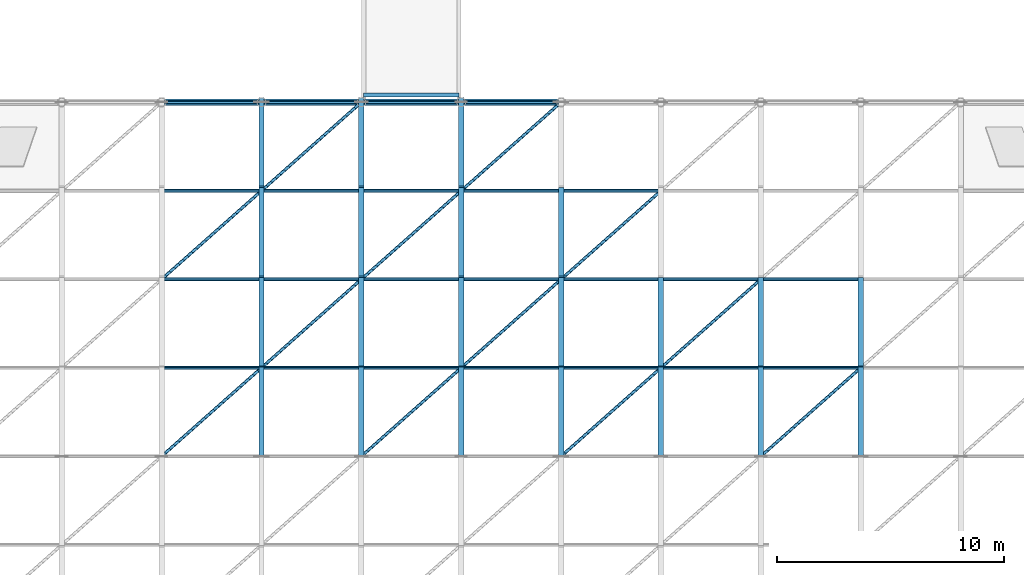
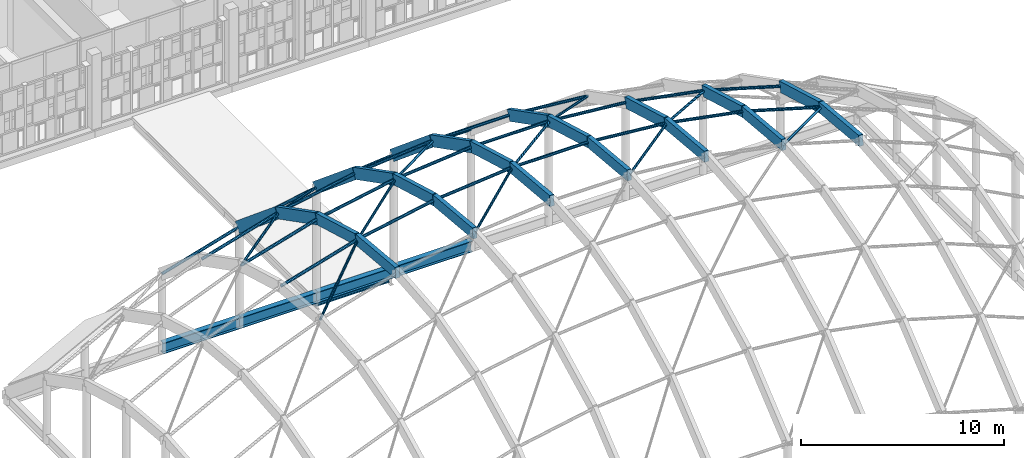
# One storey, part 50 of 119: 56 members, 5 beams.
"""IFC4 building model written with IfcOpenShell, lengths in metres."""

from ifc_helpers import new_model, si_unit, direction, frame, origin, origin_2d, place, context, subcontext, project, spatial, rectangle, hollow_circle, i_section, extrude, material, material_profile, profile_set, type_object, element, save


model = new_model("IFC4")

# Units and contexts
model_context = context("Model", 3, precision=1e-05, world=origin(), true_north=direction((0.0, 1.0)))
body_context = subcontext(model_context, "Body", "Model", "MODEL_VIEW")
ifc_project = project(units=[si_unit("LENGTHUNIT", "METRE"), si_unit("AREAUNIT", "SQUARE_METRE"), si_unit("VOLUMEUNIT", "CUBIC_METRE"), si_unit("PLANEANGLEUNIT", "RADIAN"), si_unit("MASSUNIT", "GRAM", prefix="KILO")], contexts=[model_context])

# Site, building, storey
site_placement = place(None, origin())
site = spatial("IfcSite", under=ifc_project, at=site_placement, CompositionType="ELEMENT")
building_placement = place(site_placement, origin())
building = spatial("IfcBuilding", under=site, at=building_placement, Name="Celorna Specialist Clinic", CompositionType="ELEMENT")
storey_placement = place(building_placement, frame((0.0, 0.0, 9.60009765625)))
storey = spatial("IfcBuildingStorey", under=building, at=storey_placement, Name="L02", CompositionType="ELEMENT", Elevation=9.60009765625)

# Beams
ifc_material_1 = material(Name="Steel S355", Category="steel")
ifc_material_profile_1 = material_profile(ifc_material_1, i_section(OverallWidth=0.300048828125, OverallDepth=0.64990234375, WebThickness=0.01611328125, FlangeThickness=0.031005859375, at=origin_2d()), Name="HE 650 B")
ifc_profile_set_1 = profile_set([ifc_material_profile_1], Name="Steel S355")
beam_type_1 = type_object("IfcBeamType", Name="BM-03", PredefinedType="BEAM", material=ifc_profile_set_1)
beam_1_placement = place(storey_placement, frame((63.39990234375, 78.0, 0.27490234375), z_axis=(1.0, 0.0, 0.0), x_axis=(0.0, 1.0, 0.0)))
element("IfcBeam", 1, at=beam_1_placement, inside=storey, type_object=beam_type_1, Name="GSH-V1 gridshell perimeter edge ring beam", PredefinedType="BEAM", context=body_context, shape_type="SweptSolid", body=[
    extrude(i_section(OverallWidth=0.300048828125, OverallDepth=0.64990234375, WebThickness=0.01611328125, FlangeThickness=0.031005859375, at=origin_2d()), origin(), (0.0, 0.0, 1.0), 4.400146484375),
])
beam_2_placement = place(storey_placement, frame((67.800048828125, 78.0, 0.27490234375), z_axis=(1.0, 0.0, 0.0), x_axis=(0.0, 1.0, 0.0)))
element("IfcBeam", 2, at=beam_2_placement, inside=storey, type_object=beam_type_1, Name="GSH-V1 gridshell perimeter edge ring beam", PredefinedType="BEAM", context=body_context, shape_type="SweptSolid", body=[
    extrude(i_section(OverallWidth=0.300048828125, OverallDepth=0.64990234375, WebThickness=0.01611328125, FlangeThickness=0.031005859375, at=origin_2d()), origin(), (0.0, 0.0, 1.0), 4.39990234375),
])
beam_3_placement = place(storey_placement, frame((72.199951171875, 78.0, 0.27490234375), z_axis=(1.0, 0.0, 0.0), x_axis=(0.0, 1.0, 0.0)))
element("IfcBeam", 3, at=beam_3_placement, inside=storey, type_object=beam_type_1, Name="GSH-V1 gridshell perimeter edge ring beam", PredefinedType="BEAM", context=body_context, shape_type="SweptSolid", body=[
    extrude(i_section(OverallWidth=0.300048828125, OverallDepth=0.64990234375, WebThickness=0.01611328125, FlangeThickness=0.031005859375, at=origin_2d()), origin(), (0.0, 0.0, 1.0), 4.400146484375),
])
beam_4_placement = place(storey_placement, frame((76.60009765625, 78.0, 0.27490234375), z_axis=(1.0, 0.0, 0.0), x_axis=(0.0, 1.0, 0.0)))
element("IfcBeam", 4, at=beam_4_placement, inside=storey, type_object=beam_type_1, Name="GSH-V1 gridshell perimeter edge ring beam", PredefinedType="BEAM", context=body_context, shape_type="SweptSolid", body=[
    extrude(i_section(OverallWidth=0.300048828125, OverallDepth=0.64990234375, WebThickness=0.01611328125, FlangeThickness=0.031005859375, at=origin_2d()), origin(), (0.0, 0.0, 1.0), 4.39990234375),
])
ifc_material_profile_2 = material_profile(ifc_material_1, i_section(OverallWidth=0.179931640625, OverallDepth=0.39990234375, WebThickness=0.008544921875, FlangeThickness=0.013427734375, at=origin_2d()), Name="IPE 400")
ifc_profile_set_2 = profile_set([ifc_material_profile_2], Name="Steel S355")
beam_type_2 = type_object("IfcBeamType", Name="BM-10", PredefinedType="BEAM", material=ifc_profile_set_2)
beam_5_placement = place(storey_placement, frame((72.300048828125, 78.320068359375, -0.340087890625), z_axis=(1.0, 0.0, 0.0), x_axis=(0.0, 1.0, 0.0)))
element("IfcBeam", 5, at=beam_5_placement, inside=storey, type_object=beam_type_2, Name="Bridge BR-04 transverse beam BM-10 #108", PredefinedType="BEAM", context=body_context, shape_type="SweptSolid", body=[
    extrude(i_section(OverallWidth=0.179931640625, OverallDepth=0.39990234375, WebThickness=0.008544921875, FlangeThickness=0.013427734375, at=origin_2d()), origin(), (0.0, 0.0, 1.0), 4.199951171875),
])

# Members
ifc_material_2 = material(Name="Glulam GL28h", Category="wood")
ifc_material_profile_3 = material_profile(ifc_material_2, rectangle(XDim=0.239990234375, YDim=0.639892578125, at=origin_2d()), Name="GL28h 240x640")
ifc_profile_set_3 = profile_set([ifc_material_profile_3], Name="Glulam GL28h")
member_type_1 = type_object("IfcMemberType", Name="MB-01", PredefinedType="RAFTER", material=ifc_profile_set_3)
member_1_placement = place(storey_placement, frame((67.800048828125, 62.39990234375, 12.697021484375), z_axis=(0.0, 0.995844007716, -0.091075311128), x_axis=(-1.0, 0.0, 0.0)))
element("IfcMember", 6, at=member_1_placement, inside=storey, type_object=member_type_1, Name="GSH-V1 glulam gridshell arch rib WP-173-WP-174", PredefinedType="RAFTER", context=body_context, shape_type="SweptSolid", body=[
    extrude(rectangle(XDim=0.239990234375, YDim=0.639892578125, at=origin_2d()), origin(), (0.0, 0.0, 1.0), 3.91650390625),
])
member_2_placement = place(storey_placement, frame((67.800048828125, 66.300048828125, 12.34033203125), z_axis=(0.0, 0.961920605612, -0.273329011448), x_axis=(-1.0, 0.0, 0.0)))
element("IfcMember", 7, at=member_2_placement, inside=storey, type_object=member_type_1, Name="GSH-V1 glulam gridshell arch rib WP-174-WP-175", PredefinedType="RAFTER", context=body_context, shape_type="SweptSolid", body=[
    extrude(rectangle(XDim=0.239990234375, YDim=0.639892578125, at=origin_2d()), origin(), (0.0, 0.0, 1.0), 4.05419921875),
])
member_3_placement = place(storey_placement, frame((67.800048828125, 70.199951171875, 11.232177734375), z_axis=(0.0, 0.890050532634, -0.455861875306), x_axis=(-1.0, 0.0, 0.0)))
element("IfcMember", 8, at=member_3_placement, inside=storey, type_object=member_type_1, Name="GSH-V1 glulam gridshell arch rib WP-175-WP-176", PredefinedType="RAFTER", context=body_context, shape_type="SweptSolid", body=[
    extrude(rectangle(XDim=0.239990234375, YDim=0.639892578125, at=origin_2d()), origin(), (0.0, 0.0, 1.0), 4.3818359375),
])
member_4_placement = place(storey_placement, frame((67.800048828125, 74.10009765625, 9.234619140625), z_axis=(0.0, 0.768923128228, -0.639341241338), x_axis=(-1.0, 0.0, 0.0)))
element("IfcMember", 9, at=member_4_placement, inside=storey, type_object=member_type_1, Name="GSH-V1 glulam gridshell arch rib WP-176-WP-140", PredefinedType="RAFTER", context=body_context, shape_type="SweptSolid", body=[
    extrude(rectangle(XDim=0.239990234375, YDim=0.639892578125, at=origin_2d()), origin(), (0.0, 0.0, 1.0), 5.072021484375),
])
member_5_placement = place(storey_placement, frame((72.199951171875, 62.39990234375, 13.534912109375), z_axis=(0.0, 0.995849659655, -0.091013490022), x_axis=(-1.0, 0.0, 0.0)))
element("IfcMember", 10, at=member_5_placement, inside=storey, type_object=member_type_1, Name="GSH-V1 glulam gridshell arch rib WP-180-WP-181", PredefinedType="RAFTER", context=body_context, shape_type="SweptSolid", body=[
    extrude(rectangle(XDim=0.239990234375, YDim=0.639892578125, at=origin_2d()), origin(), (0.0, 0.0, 1.0), 3.91650390625),
])
member_6_placement = place(storey_placement, frame((72.199951171875, 66.300048828125, 13.178466796875), z_axis=(0.0, 0.961920605612, -0.273329011448), x_axis=(-1.0, 0.0, 0.0)))
element("IfcMember", 11, at=member_6_placement, inside=storey, type_object=member_type_1, Name="GSH-V1 glulam gridshell arch rib WP-181-WP-182", PredefinedType="RAFTER", context=body_context, shape_type="SweptSolid", body=[
    extrude(rectangle(XDim=0.239990234375, YDim=0.639892578125, at=origin_2d()), origin(), (0.0, 0.0, 1.0), 4.05419921875),
])
member_7_placement = place(storey_placement, frame((72.199951171875, 70.199951171875, 12.0703125), z_axis=(0.0, 0.890050532634, -0.455861875306), x_axis=(-1.0, 0.0, 0.0)))
element("IfcMember", 12, at=member_7_placement, inside=storey, type_object=member_type_1, Name="GSH-V1 glulam gridshell arch rib WP-182-WP-183", PredefinedType="RAFTER", context=body_context, shape_type="SweptSolid", body=[
    extrude(rectangle(XDim=0.239990234375, YDim=0.639892578125, at=origin_2d()), origin(), (0.0, 0.0, 1.0), 4.3818359375),
])
member_8_placement = place(storey_placement, frame((72.199951171875, 74.10009765625, 10.07275390625), z_axis=(0.0, 0.768923128228, -0.639341241338), x_axis=(-1.0, 0.0, 0.0)))
element("IfcMember", 13, at=member_8_placement, inside=storey, type_object=member_type_1, Name="GSH-V1 glulam gridshell arch rib WP-183-WP-141", PredefinedType="RAFTER", context=body_context, shape_type="SweptSolid", body=[
    extrude(rectangle(XDim=0.239990234375, YDim=0.639892578125, at=origin_2d()), origin(), (0.0, 0.0, 1.0), 5.072021484375),
])
member_9_placement = place(storey_placement, frame((76.60009765625, 62.39990234375, 13.948486328125), z_axis=(0.0, 0.995844007716, -0.091075311128), x_axis=(-1.0, 0.0, 0.0)))
element("IfcMember", 14, at=member_9_placement, inside=storey, type_object=member_type_1, Name="GSH-V1 glulam gridshell arch rib WP-187-WP-188", PredefinedType="RAFTER", context=body_context, shape_type="SweptSolid", body=[
    extrude(rectangle(XDim=0.239990234375, YDim=0.639892578125, at=origin_2d()), origin(), (0.0, 0.0, 1.0), 3.91650390625),
])
member_10_placement = place(storey_placement, frame((76.60009765625, 66.300048828125, 13.591796875), z_axis=(0.0, 0.961920605612, -0.273329011448), x_axis=(-1.0, 0.0, 0.0)))
element("IfcMember", 15, at=member_10_placement, inside=storey, type_object=member_type_1, Name="GSH-V1 glulam gridshell arch rib WP-188-WP-189", PredefinedType="RAFTER", context=body_context, shape_type="SweptSolid", body=[
    extrude(rectangle(XDim=0.239990234375, YDim=0.639892578125, at=origin_2d()), origin(), (0.0, 0.0, 1.0), 4.05419921875),
])
member_11_placement = place(storey_placement, frame((76.60009765625, 70.199951171875, 12.483642578125), z_axis=(0.0, 0.890050532634, -0.455861875306), x_axis=(-1.0, 0.0, 0.0)))
element("IfcMember", 16, at=member_11_placement, inside=storey, type_object=member_type_1, Name="GSH-V1 glulam gridshell arch rib WP-189-WP-190", PredefinedType="RAFTER", context=body_context, shape_type="SweptSolid", body=[
    extrude(rectangle(XDim=0.239990234375, YDim=0.639892578125, at=origin_2d()), origin(), (0.0, 0.0, 1.0), 4.3818359375),
])
member_12_placement = place(storey_placement, frame((76.60009765625, 74.10009765625, 10.486083984375), z_axis=(0.0, 0.768923128228, -0.639341241338), x_axis=(-1.0, 0.0, 0.0)))
element("IfcMember", 17, at=member_12_placement, inside=storey, type_object=member_type_1, Name="GSH-V1 glulam gridshell arch rib WP-190-WP-142", PredefinedType="RAFTER", context=body_context, shape_type="SweptSolid", body=[
    extrude(rectangle(XDim=0.239990234375, YDim=0.639892578125, at=origin_2d()), origin(), (0.0, 0.0, 1.0), 5.072021484375),
])
member_13_placement = place(storey_placement, frame((81.0, 62.39990234375, 13.948486328125), z_axis=(0.0, 0.995844007716, -0.091075311128), x_axis=(-1.0, 0.0, 0.0)))
element("IfcMember", 18, at=member_13_placement, inside=storey, type_object=member_type_1, Name="GSH-V1 glulam gridshell arch rib WP-194-WP-195", PredefinedType="RAFTER", context=body_context, shape_type="SweptSolid", body=[
    extrude(rectangle(XDim=0.239990234375, YDim=0.639892578125, at=origin_2d()), origin(), (0.0, 0.0, 1.0), 3.91650390625),
])
member_14_placement = place(storey_placement, frame((81.0, 66.300048828125, 13.591796875), z_axis=(0.0, 0.961920605612, -0.273329011448), x_axis=(-1.0, 0.0, 0.0)))
element("IfcMember", 19, at=member_14_placement, inside=storey, type_object=member_type_1, Name="GSH-V1 glulam gridshell arch rib WP-195-WP-196", PredefinedType="RAFTER", context=body_context, shape_type="SweptSolid", body=[
    extrude(rectangle(XDim=0.239990234375, YDim=0.639892578125, at=origin_2d()), origin(), (0.0, 0.0, 1.0), 4.05419921875),
])
member_15_placement = place(storey_placement, frame((81.0, 70.199951171875, 12.483642578125), z_axis=(0.0, 0.890050532634, -0.455861875306), x_axis=(-1.0, 0.0, 0.0)))
element("IfcMember", 20, at=member_15_placement, inside=storey, type_object=member_type_1, Name="GSH-V1 glulam gridshell arch rib WP-196-WP-197", PredefinedType="RAFTER", context=body_context, shape_type="SweptSolid", body=[
    extrude(rectangle(XDim=0.239990234375, YDim=0.639892578125, at=origin_2d()), origin(), (0.0, 0.0, 1.0), 4.3818359375),
])
member_16_placement = place(storey_placement, frame((85.39990234375, 62.39990234375, 13.534912109375), z_axis=(0.0, 0.995849659655, -0.091013490022), x_axis=(-1.0, 0.0, 0.0)))
element("IfcMember", 21, at=member_16_placement, inside=storey, type_object=member_type_1, Name="GSH-V1 glulam gridshell arch rib WP-201-WP-202", PredefinedType="RAFTER", context=body_context, shape_type="SweptSolid", body=[
    extrude(rectangle(XDim=0.239990234375, YDim=0.639892578125, at=origin_2d()), origin(), (0.0, 0.0, 1.0), 3.91650390625),
])
member_17_placement = place(storey_placement, frame((85.39990234375, 66.300048828125, 13.178466796875), z_axis=(0.0, 0.961920605612, -0.273329011448), x_axis=(-1.0, 0.0, 0.0)))
element("IfcMember", 22, at=member_17_placement, inside=storey, type_object=member_type_1, Name="GSH-V1 glulam gridshell arch rib WP-202-WP-203", PredefinedType="RAFTER", context=body_context, shape_type="SweptSolid", body=[
    extrude(rectangle(XDim=0.239990234375, YDim=0.639892578125, at=origin_2d()), origin(), (0.0, 0.0, 1.0), 4.05419921875),
])
member_18_placement = place(storey_placement, frame((89.800048828125, 62.39990234375, 12.697021484375), z_axis=(0.0, 0.995844007716, -0.091075311128), x_axis=(-1.0, 0.0, 0.0)))
element("IfcMember", 23, at=member_18_placement, inside=storey, type_object=member_type_1, Name="GSH-V1 glulam gridshell arch rib WP-208-WP-209", PredefinedType="RAFTER", context=body_context, shape_type="SweptSolid", body=[
    extrude(rectangle(XDim=0.239990234375, YDim=0.639892578125, at=origin_2d()), origin(), (0.0, 0.0, 1.0), 3.91650390625),
])
member_19_placement = place(storey_placement, frame((89.800048828125, 66.300048828125, 12.34033203125), z_axis=(0.0, 0.961920605612, -0.273329011448), x_axis=(-1.0, 0.0, 0.0)))
element("IfcMember", 24, at=member_19_placement, inside=storey, type_object=member_type_1, Name="GSH-V1 glulam gridshell arch rib WP-209-WP-210", PredefinedType="RAFTER", context=body_context, shape_type="SweptSolid", body=[
    extrude(rectangle(XDim=0.239990234375, YDim=0.639892578125, at=origin_2d()), origin(), (0.0, 0.0, 1.0), 4.05419921875),
])
member_20_placement = place(storey_placement, frame((94.199951171875, 62.39990234375, 11.410400390625), z_axis=(0.0, 0.995844007716, -0.091075311128), x_axis=(-1.0, 0.0, 0.0)))
element("IfcMember", 25, at=member_20_placement, inside=storey, type_object=member_type_1, Name="GSH-V1 glulam gridshell arch rib WP-215-WP-216", PredefinedType="RAFTER", context=body_context, shape_type="SweptSolid", body=[
    extrude(rectangle(XDim=0.239990234375, YDim=0.639892578125, at=origin_2d()), origin(), (0.0, 0.0, 1.0), 3.91650390625),
])
member_21_placement = place(storey_placement, frame((94.199951171875, 66.300048828125, 11.0537109375), z_axis=(0.0, 0.961920605612, -0.273329011448), x_axis=(-1.0, 0.0, 0.0)))
element("IfcMember", 26, at=member_21_placement, inside=storey, type_object=member_type_1, Name="GSH-V1 glulam gridshell arch rib WP-216-WP-217", PredefinedType="RAFTER", context=body_context, shape_type="SweptSolid", body=[
    extrude(rectangle(XDim=0.239990234375, YDim=0.639892578125, at=origin_2d()), origin(), (0.0, 0.0, 1.0), 4.05419921875),
])
ifc_material_profile_4 = material_profile(ifc_material_1, hollow_circle(Radius=0.084228515625, WallThickness=0.010009765625, at=origin_2d()), Name="CHS 168.3x10")
ifc_profile_set_4 = profile_set([ifc_material_profile_4], Name="Steel S355")
member_type_2 = type_object("IfcMemberType", Name="MB-03", PredefinedType="PURLIN", material=ifc_profile_set_4)
member_22_placement = place(storey_placement, frame((63.39990234375, 78.0, 4.705322265625), z_axis=(0.959809509952, 0.0, 0.280652284162), x_axis=(0.0, 1.0, 0.0)))
element("IfcMember", 27, at=member_22_placement, inside=storey, type_object=member_type_2, Name="GSH-V1 gridshell edge arch chord WP-139-WP-140", PredefinedType="PURLIN", context=body_context, shape_type="SweptSolid", body=[
    extrude(hollow_circle(Radius=0.084228515625, WallThickness=0.010009765625, at=origin_2d()), origin(), (0.0, 0.0, 1.0), 4.58447265625),
])
member_23_placement = place(storey_placement, frame((67.800048828125, 78.0, 5.991943359375), z_axis=(0.982336180889, 0.0, 0.187124631506), x_axis=(0.0, 1.0, 0.0)))
element("IfcMember", 28, at=member_23_placement, inside=storey, type_object=member_type_2, Name="GSH-V1 gridshell edge arch chord WP-140-WP-141", PredefinedType="PURLIN", context=body_context, shape_type="SweptSolid", body=[
    extrude(hollow_circle(Radius=0.084228515625, WallThickness=0.010009765625, at=origin_2d()), origin(), (0.0, 0.0, 1.0), 4.47900390625),
])
member_24_placement = place(storey_placement, frame((72.199951171875, 78.0, 6.830078125), z_axis=(0.995617043189, 0.0, 0.09352381147), x_axis=(0.0, 1.0, 0.0)))
element("IfcMember", 29, at=member_24_placement, inside=storey, type_object=member_type_2, Name="GSH-V1 gridshell edge arch chord WP-141-WP-142", PredefinedType="PURLIN", context=body_context, shape_type="SweptSolid", body=[
    extrude(hollow_circle(Radius=0.084228515625, WallThickness=0.010009765625, at=origin_2d()), origin(), (0.0, 0.0, 1.0), 4.41943359375),
])
member_25_placement = place(storey_placement, frame((76.60009765625, 78.0, 7.243408203125), z_axis=(1.0, 0.0, 0.0), x_axis=(0.0, 1.0, 0.0)))
element("IfcMember", 30, at=member_25_placement, inside=storey, type_object=member_type_2, Name="GSH-V1 gridshell edge arch chord WP-142-WP-143", PredefinedType="PURLIN", context=body_context, shape_type="SweptSolid", body=[
    extrude(hollow_circle(Radius=0.084228515625, WallThickness=0.010009765625, at=origin_2d()), origin(), (0.0, 0.0, 1.0), 4.39990234375),
])
member_26_placement = place(storey_placement, frame((63.39990234375, 66.300048828125, 11.0537109375), z_axis=(0.959809509952, 0.0, 0.280652284162), x_axis=(0.0, 1.0, 0.0)))
element("IfcMember", 31, at=member_26_placement, inside=storey, type_object=member_type_2, Name="GSH-V1 gridshell steel purlin WP-167-WP-174", PredefinedType="PURLIN", context=body_context, shape_type="SweptSolid", body=[
    extrude(hollow_circle(Radius=0.084228515625, WallThickness=0.010009765625, at=origin_2d()), origin(), (0.0, 0.0, 1.0), 4.58447265625),
])
member_27_placement = place(storey_placement, frame((67.800048828125, 66.300048828125, 12.34033203125), z_axis=(0.982336180889, 0.0, 0.187124631506), x_axis=(0.0, 1.0, 0.0)))
element("IfcMember", 32, at=member_27_placement, inside=storey, type_object=member_type_2, Name="GSH-V1 gridshell steel purlin WP-174-WP-181", PredefinedType="PURLIN", context=body_context, shape_type="SweptSolid", body=[
    extrude(hollow_circle(Radius=0.084228515625, WallThickness=0.010009765625, at=origin_2d()), origin(), (0.0, 0.0, 1.0), 4.47900390625),
])
member_28_placement = place(storey_placement, frame((72.199951171875, 66.300048828125, 13.178466796875), z_axis=(0.995617043189, 0.0, 0.09352381147), x_axis=(0.0, 1.0, 0.0)))
element("IfcMember", 33, at=member_28_placement, inside=storey, type_object=member_type_2, Name="GSH-V1 gridshell steel purlin WP-181-WP-188", PredefinedType="PURLIN", context=body_context, shape_type="SweptSolid", body=[
    extrude(hollow_circle(Radius=0.084228515625, WallThickness=0.010009765625, at=origin_2d()), origin(), (0.0, 0.0, 1.0), 4.41943359375),
])
member_29_placement = place(storey_placement, frame((76.60009765625, 66.300048828125, 13.591796875), z_axis=(1.0, 0.0, 0.0), x_axis=(0.0, 1.0, 0.0)))
element("IfcMember", 34, at=member_29_placement, inside=storey, type_object=member_type_2, Name="GSH-V1 gridshell steel purlin WP-188-WP-195", PredefinedType="PURLIN", context=body_context, shape_type="SweptSolid", body=[
    extrude(hollow_circle(Radius=0.084228515625, WallThickness=0.010009765625, at=origin_2d()), origin(), (0.0, 0.0, 1.0), 4.39990234375),
])
member_30_placement = place(storey_placement, frame((81.0, 66.300048828125, 13.591796875), z_axis=(0.995616559968, 0.0, -0.0935289555), x_axis=(0.0, 1.0, 0.0)))
element("IfcMember", 35, at=member_30_placement, inside=storey, type_object=member_type_2, Name="GSH-V1 gridshell steel purlin WP-195-WP-202", PredefinedType="PURLIN", context=body_context, shape_type="SweptSolid", body=[
    extrude(hollow_circle(Radius=0.084228515625, WallThickness=0.010009765625, at=origin_2d()), origin(), (0.0, 0.0, 1.0), 4.419189453125),
])
member_31_placement = place(storey_placement, frame((85.39990234375, 66.300048828125, 13.178466796875), z_axis=(0.982338089354, 0.0, -0.187114612481), x_axis=(0.0, 1.0, 0.0)))
element("IfcMember", 36, at=member_31_placement, inside=storey, type_object=member_type_2, Name="GSH-V1 gridshell steel purlin WP-202-WP-209", PredefinedType="PURLIN", context=body_context, shape_type="SweptSolid", body=[
    extrude(hollow_circle(Radius=0.084228515625, WallThickness=0.010009765625, at=origin_2d()), origin(), (0.0, 0.0, 1.0), 4.479248046875),
])
member_32_placement = place(storey_placement, frame((89.800048828125, 66.300048828125, 12.34033203125), z_axis=(0.959805314986, 0.0, -0.280666630229), x_axis=(0.0, 1.0, 0.0)))
element("IfcMember", 37, at=member_32_placement, inside=storey, type_object=member_type_2, Name="GSH-V1 gridshell steel purlin WP-209-WP-216", PredefinedType="PURLIN", context=body_context, shape_type="SweptSolid", body=[
    extrude(hollow_circle(Radius=0.084228515625, WallThickness=0.010009765625, at=origin_2d()), origin(), (0.0, 0.0, 1.0), 4.584228515625),
])
member_33_placement = place(storey_placement, frame((63.39990234375, 70.199951171875, 9.945556640625), z_axis=(0.959809509952, 0.0, 0.280652284162), x_axis=(0.0, 1.0, 0.0)))
element("IfcMember", 38, at=member_33_placement, inside=storey, type_object=member_type_2, Name="GSH-V1 gridshell steel purlin WP-168-WP-175", PredefinedType="PURLIN", context=body_context, shape_type="SweptSolid", body=[
    extrude(hollow_circle(Radius=0.084228515625, WallThickness=0.010009765625, at=origin_2d()), origin(), (0.0, 0.0, 1.0), 4.58447265625),
])
member_34_placement = place(storey_placement, frame((67.800048828125, 70.199951171875, 11.232177734375), z_axis=(0.982336180889, 0.0, 0.187124631506), x_axis=(0.0, 1.0, 0.0)))
element("IfcMember", 39, at=member_34_placement, inside=storey, type_object=member_type_2, Name="GSH-V1 gridshell steel purlin WP-175-WP-182", PredefinedType="PURLIN", context=body_context, shape_type="SweptSolid", body=[
    extrude(hollow_circle(Radius=0.084228515625, WallThickness=0.010009765625, at=origin_2d()), origin(), (0.0, 0.0, 1.0), 4.47900390625),
])
member_35_placement = place(storey_placement, frame((72.199951171875, 70.199951171875, 12.0703125), z_axis=(0.995617043189, 0.0, 0.09352381147), x_axis=(0.0, 1.0, 0.0)))
element("IfcMember", 40, at=member_35_placement, inside=storey, type_object=member_type_2, Name="GSH-V1 gridshell steel purlin WP-182-WP-189", PredefinedType="PURLIN", context=body_context, shape_type="SweptSolid", body=[
    extrude(hollow_circle(Radius=0.084228515625, WallThickness=0.010009765625, at=origin_2d()), origin(), (0.0, 0.0, 1.0), 4.41943359375),
])
member_36_placement = place(storey_placement, frame((76.60009765625, 70.199951171875, 12.483642578125), z_axis=(1.0, 0.0, 0.0), x_axis=(0.0, 1.0, 0.0)))
element("IfcMember", 41, at=member_36_placement, inside=storey, type_object=member_type_2, Name="GSH-V1 gridshell steel purlin WP-189-WP-196", PredefinedType="PURLIN", context=body_context, shape_type="SweptSolid", body=[
    extrude(hollow_circle(Radius=0.084228515625, WallThickness=0.010009765625, at=origin_2d()), origin(), (0.0, 0.0, 1.0), 4.39990234375),
])
member_37_placement = place(storey_placement, frame((81.0, 70.199951171875, 12.483642578125), z_axis=(0.995616559968, 0.0, -0.0935289555), x_axis=(0.0, 1.0, 0.0)))
element("IfcMember", 42, at=member_37_placement, inside=storey, type_object=member_type_2, Name="GSH-V1 gridshell steel purlin WP-196-WP-203", PredefinedType="PURLIN", context=body_context, shape_type="SweptSolid", body=[
    extrude(hollow_circle(Radius=0.084228515625, WallThickness=0.010009765625, at=origin_2d()), origin(), (0.0, 0.0, 1.0), 4.419189453125),
])
member_38_placement = place(storey_placement, frame((85.39990234375, 70.199951171875, 12.0703125), z_axis=(0.982338089354, 0.0, -0.187114612481), x_axis=(0.0, 1.0, 0.0)))
element("IfcMember", 43, at=member_38_placement, inside=storey, type_object=member_type_2, Name="GSH-V1 gridshell steel purlin WP-203-WP-210", PredefinedType="PURLIN", context=body_context, shape_type="SweptSolid", body=[
    extrude(hollow_circle(Radius=0.084228515625, WallThickness=0.010009765625, at=origin_2d()), origin(), (0.0, 0.0, 1.0), 4.479248046875),
])
member_39_placement = place(storey_placement, frame((89.800048828125, 70.199951171875, 11.232177734375), z_axis=(0.959805314986, 0.0, -0.280666630229), x_axis=(0.0, 1.0, 0.0)))
element("IfcMember", 44, at=member_39_placement, inside=storey, type_object=member_type_2, Name="GSH-V1 gridshell steel purlin WP-210-WP-217", PredefinedType="PURLIN", context=body_context, shape_type="SweptSolid", body=[
    extrude(hollow_circle(Radius=0.084228515625, WallThickness=0.010009765625, at=origin_2d()), origin(), (0.0, 0.0, 1.0), 4.584228515625),
])
member_40_placement = place(storey_placement, frame((63.39990234375, 74.10009765625, 7.947998046875), z_axis=(0.959809509952, 0.0, 0.280652284162), x_axis=(0.0, 1.0, 0.0)))
element("IfcMember", 45, at=member_40_placement, inside=storey, type_object=member_type_2, Name="GSH-V1 gridshell steel purlin WP-169-WP-176", PredefinedType="PURLIN", context=body_context, shape_type="SweptSolid", body=[
    extrude(hollow_circle(Radius=0.084228515625, WallThickness=0.010009765625, at=origin_2d()), origin(), (0.0, 0.0, 1.0), 4.58447265625),
])
member_41_placement = place(storey_placement, frame((67.800048828125, 74.10009765625, 9.234619140625), z_axis=(0.982336180889, 0.0, 0.187124631506), x_axis=(0.0, 1.0, 0.0)))
element("IfcMember", 46, at=member_41_placement, inside=storey, type_object=member_type_2, Name="GSH-V1 gridshell steel purlin WP-176-WP-183", PredefinedType="PURLIN", context=body_context, shape_type="SweptSolid", body=[
    extrude(hollow_circle(Radius=0.084228515625, WallThickness=0.010009765625, at=origin_2d()), origin(), (0.0, 0.0, 1.0), 4.47900390625),
])
member_42_placement = place(storey_placement, frame((72.199951171875, 74.10009765625, 10.07275390625), z_axis=(0.995617043189, 0.0, 0.09352381147), x_axis=(0.0, 1.0, 0.0)))
element("IfcMember", 47, at=member_42_placement, inside=storey, type_object=member_type_2, Name="GSH-V1 gridshell steel purlin WP-183-WP-190", PredefinedType="PURLIN", context=body_context, shape_type="SweptSolid", body=[
    extrude(hollow_circle(Radius=0.084228515625, WallThickness=0.010009765625, at=origin_2d()), origin(), (0.0, 0.0, 1.0), 4.41943359375),
])
member_43_placement = place(storey_placement, frame((76.60009765625, 74.10009765625, 10.486083984375), z_axis=(1.0, 0.0, 0.0), x_axis=(0.0, 1.0, 0.0)))
element("IfcMember", 48, at=member_43_placement, inside=storey, type_object=member_type_2, Name="GSH-V1 gridshell steel purlin WP-190-WP-197", PredefinedType="PURLIN", context=body_context, shape_type="SweptSolid", body=[
    extrude(hollow_circle(Radius=0.084228515625, WallThickness=0.010009765625, at=origin_2d()), origin(), (0.0, 0.0, 1.0), 4.39990234375),
])
member_44_placement = place(storey_placement, frame((81.0, 74.10009765625, 10.486083984375), z_axis=(0.995616559968, 0.0, -0.0935289555), x_axis=(0.0, 1.0, 0.0)))
element("IfcMember", 49, at=member_44_placement, inside=storey, type_object=member_type_2, Name="GSH-V1 gridshell steel purlin WP-197-WP-204", PredefinedType="PURLIN", context=body_context, shape_type="SweptSolid", body=[
    extrude(hollow_circle(Radius=0.084228515625, WallThickness=0.010009765625, at=origin_2d()), origin(), (0.0, 0.0, 1.0), 4.419189453125),
])
ifc_material_profile_5 = material_profile(ifc_material_1, hollow_circle(Radius=0.06982421875, WallThickness=0.008056640625, at=origin_2d()), Name="CHS 139.7x8")
ifc_profile_set_5 = profile_set([ifc_material_profile_5], Name="Steel S355")
member_type_3 = type_object("IfcMemberType", Name="MB-08", PredefinedType="BRACE", material=ifc_profile_set_5)
member_45_placement = place(storey_placement, frame((63.39990234375, 62.39990234375, 11.410400390625), z_axis=(0.739158213431, 0.655165758173, 0.156214483435), x_axis=(-0.663309099754, 0.748345533951, 0.0)))
element("IfcMember", 50, at=member_45_placement, inside=storey, type_object=member_type_3, Name="GSH-V1 gridshell shell brace WP-166-WP-174", PredefinedType="BRACE", context=body_context, shape_type="SweptSolid", body=[
    extrude(hollow_circle(Radius=0.06982421875, WallThickness=0.008056640625, at=origin_2d()), origin(), (0.0, 0.0, 1.0), 5.952880859375),
])
member_46_placement = place(storey_placement, frame((63.39990234375, 70.199951171875, 9.945556640625), z_axis=(0.742934567677, 0.658512995541, -0.12003692288), x_axis=(-0.663309099754, 0.748345533951, 0.0)))
element("IfcMember", 51, at=member_46_placement, inside=storey, type_object=member_type_3, Name="GSH-V1 gridshell shell brace WP-168-WP-176", PredefinedType="BRACE", context=body_context, shape_type="SweptSolid", body=[
    extrude(hollow_circle(Radius=0.06982421875, WallThickness=0.008056640625, at=origin_2d()), origin(), (0.0, 0.0, 1.0), 5.922607421875),
])
member_47_placement = place(storey_placement, frame((67.800048828125, 66.300048828125, 12.34033203125), z_axis=(0.747559926347, 0.662608049244, -0.045877332069), x_axis=(-0.663306457294, 0.748347876133, 0.0)))
element("IfcMember", 52, at=member_47_placement, inside=storey, type_object=member_type_3, Name="GSH-V1 gridshell shell brace WP-174-WP-182", PredefinedType="BRACE", context=body_context, shape_type="SweptSolid", body=[
    extrude(hollow_circle(Radius=0.06982421875, WallThickness=0.008056640625, at=origin_2d()), origin(), (0.0, 0.0, 1.0), 5.8857421875),
])
member_48_placement = place(storey_placement, frame((67.800048828125, 74.10009765625, 9.234619140625), z_axis=(0.692660163075, 0.613947033901, -0.378537895135), x_axis=(-0.663306457294, 0.748347876133, 0.0)))
element("IfcMember", 53, at=member_48_placement, inside=storey, type_object=member_type_3, Name="GSH-V1 gridshell shell brace WP-176-WP-141", PredefinedType="BRACE", context=body_context, shape_type="SweptSolid", body=[
    extrude(hollow_circle(Radius=0.06982421875, WallThickness=0.008056640625, at=origin_2d()), origin(), (0.0, 0.0, 1.0), 6.352294921875),
])
member_49_placement = place(storey_placement, frame((72.199951171875, 62.39990234375, 13.534912109375), z_axis=(0.748310514953, 0.663278060055, 0.009674102535), x_axis=(-0.663309099754, 0.748345533951, 0.0)))
element("IfcMember", 54, at=member_49_placement, inside=storey, type_object=member_type_3, Name="GSH-V1 gridshell shell brace WP-180-WP-188", PredefinedType="BRACE", context=body_context, shape_type="SweptSolid", body=[
    extrude(hollow_circle(Radius=0.06982421875, WallThickness=0.008056640625, at=origin_2d()), origin(), (0.0, 0.0, 1.0), 5.880126953125),
])
member_50_placement = place(storey_placement, frame((72.199951171875, 70.199951171875, 12.0703125), z_axis=(0.72257731078, 0.640468986279, -0.260156698089), x_axis=(-0.663309099754, 0.748345533951, 0.0)))
element("IfcMember", 55, at=member_50_placement, inside=storey, type_object=member_type_3, Name="GSH-V1 gridshell shell brace WP-182-WP-190", PredefinedType="BRACE", context=body_context, shape_type="SweptSolid", body=[
    extrude(hollow_circle(Radius=0.06982421875, WallThickness=0.008056640625, at=origin_2d()), origin(), (0.0, 0.0, 1.0), 6.089599609375),
])
member_51_placement = place(storey_placement, frame((76.60009765625, 66.300048828125, 13.591796875), z_axis=(0.7353997078, 0.651829704383, -0.185216916752), x_axis=(-0.663306457294, 0.748347876133, 0.0)))
element("IfcMember", 56, at=member_51_placement, inside=storey, type_object=member_type_3, Name="GSH-V1 gridshell shell brace WP-188-WP-196", PredefinedType="BRACE", context=body_context, shape_type="SweptSolid", body=[
    extrude(hollow_circle(Radius=0.06982421875, WallThickness=0.008056640625, at=origin_2d()), origin(), (0.0, 0.0, 1.0), 5.98291015625),
])
member_52_placement = place(storey_placement, frame((76.60009765625, 74.10009765625, 10.486083984375), z_axis=(0.655292303722, 0.580825616449, -0.482942646656), x_axis=(-0.663306457294, 0.748347876133, 0.0)))
element("IfcMember", 57, at=member_52_placement, inside=storey, type_object=member_type_3, Name="GSH-V1 gridshell shell brace WP-190-WP-143", PredefinedType="BRACE", context=body_context, shape_type="SweptSolid", body=[
    extrude(hollow_circle(Radius=0.06982421875, WallThickness=0.008056640625, at=origin_2d()), origin(), (0.0, 0.0, 1.0), 6.71435546875),
])
member_53_placement = place(storey_placement, frame((81.0, 62.39990234375, 13.948486328125), z_axis=(0.741991208834, 0.657713325998, -0.129854637258), x_axis=(-0.663329710865, 0.748327264426, 0.0)))
element("IfcMember", 58, at=member_53_placement, inside=storey, type_object=member_type_3, Name="GSH-V1 gridshell shell brace WP-194-WP-202", PredefinedType="BRACE", context=body_context, shape_type="SweptSolid", body=[
    extrude(hollow_circle(Radius=0.06982421875, WallThickness=0.008056640625, at=origin_2d()), origin(), (0.0, 0.0, 1.0), 5.929931640625),
])
member_54_placement = place(storey_placement, frame((81.0, 70.199951171875, 12.483642578125), z_axis=(0.692381629072, 0.613738570882, -0.379384562595), x_axis=(-0.663329710865, 0.748327264426, 0.0)))
element("IfcMember", 59, at=member_54_placement, inside=storey, type_object=member_type_3, Name="GSH-V1 gridshell shell brace WP-196-WP-204", PredefinedType="BRACE", context=body_context, shape_type="SweptSolid", body=[
    extrude(hollow_circle(Radius=0.06982421875, WallThickness=0.008056640625, at=origin_2d()), origin(), (0.0, 0.0, 1.0), 6.354736328125),
])
member_55_placement = place(storey_placement, frame((85.39990234375, 66.300048828125, 13.178466796875), z_axis=(0.710453959638, 0.629683823518, -0.314250622329), x_axis=(-0.66328584577, 0.748366144879, 0.0)))
element("IfcMember", 60, at=member_55_placement, inside=storey, type_object=member_type_3, Name="GSH-V1 gridshell shell brace WP-202-WP-210", PredefinedType="BRACE", context=body_context, shape_type="SweptSolid", body=[
    extrude(hollow_circle(Radius=0.06982421875, WallThickness=0.008056640625, at=origin_2d()), origin(), (0.0, 0.0, 1.0), 6.193359375),
])
member_56_placement = place(storey_placement, frame((89.800048828125, 62.39990234375, 12.697021484375), z_axis=(0.720707356493, 0.638846965929, -0.269175519729), x_axis=(-0.663329710865, 0.748327264426, 0.0)))
element("IfcMember", 61, at=member_56_placement, inside=storey, type_object=member_type_3, Name="GSH-V1 gridshell shell brace WP-208-WP-216", PredefinedType="BRACE", context=body_context, shape_type="SweptSolid", body=[
    extrude(hollow_circle(Radius=0.06982421875, WallThickness=0.008056640625, at=origin_2d()), origin(), (0.0, 0.0, 1.0), 6.10498046875),
])

save(model, "model.ifc")
